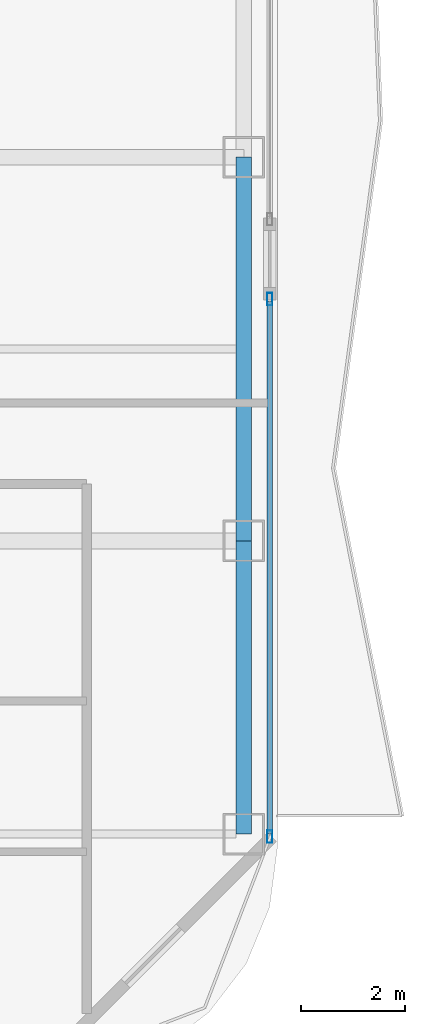
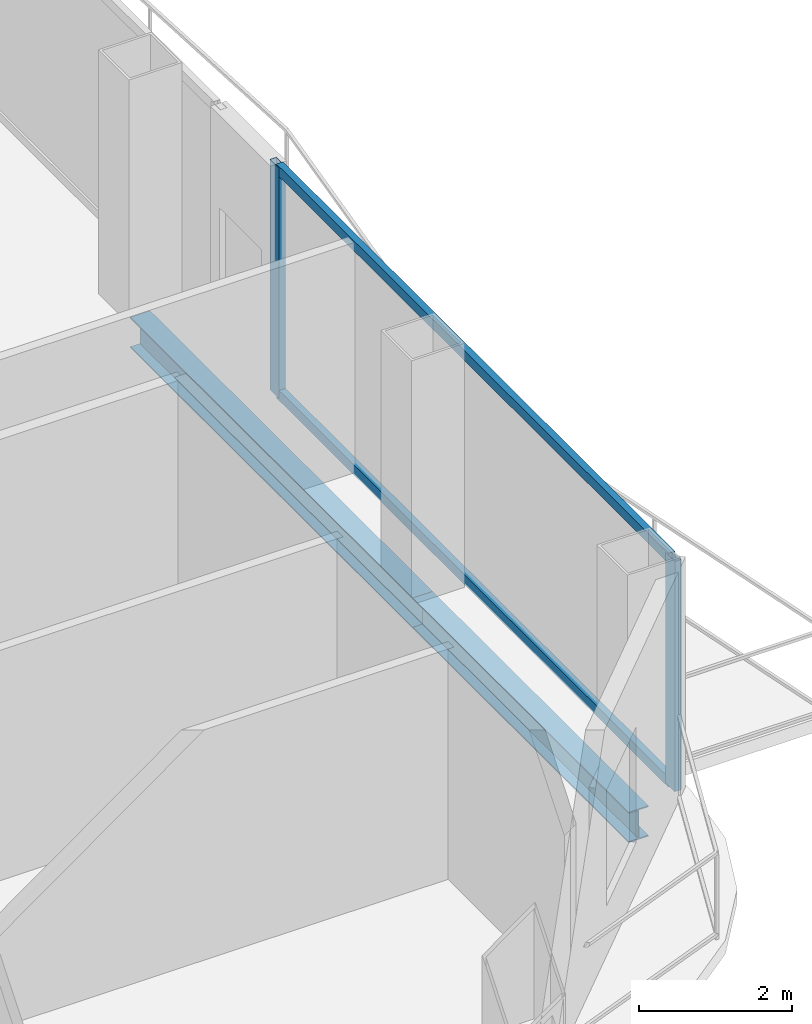
# One storey, part 10 of 27: 4 members, 2 beams, 1 element without a shape of its own.
"""IFC4 building model written with IfcOpenShell, lengths in metres."""

from ifc_helpers import new_model, si_unit, direction, frame, origin, origin_2d, place, context, subcontext, project, spatial, hollow_rectangle, i_section, extrude, material, layer, layer_set, material_profile, profile_set, type_object, element, aggregate, save


model = new_model("IFC4")

# Units and contexts
model_context = context("Model", 3, precision=1e-05, world=origin(), true_north=direction((0.0, 1.0)))
body_context = subcontext(model_context, "Body", "Model", "MODEL_VIEW")
ifc_project = project(units=[si_unit("LENGTHUNIT", "METRE"), si_unit("AREAUNIT", "SQUARE_METRE"), si_unit("VOLUMEUNIT", "CUBIC_METRE"), si_unit("PLANEANGLEUNIT", "RADIAN"), si_unit("MASSUNIT", "GRAM", prefix="KILO")], contexts=[model_context])

# Site, building, storey
site_placement = place(None, origin())
site = spatial("IfcSite", under=ifc_project, at=site_placement, CompositionType="ELEMENT")
building_placement = place(site_placement, origin())
building = spatial("IfcBuilding", under=site, at=building_placement, Name="Khorvyn Point Tower", CompositionType="ELEMENT")
storey_placement = place(building_placement, frame((0.0, 0.0, 46.199951171875)))
storey = spatial("IfcBuildingStorey", under=building, at=storey_placement, Name="L12", CompositionType="ELEMENT", Elevation=46.199951171875)

# Curtain wall, members
ifc_material_1 = material(Name="Anodised aluminium 6063-T6 and laminated Low-E glass", Category="aluminium")
ifc_layer = layer(ifc_material_1, 0.18994140625)
ifc_layer_set = layer_set([ifc_layer], Name="Stick-Built Finned Residential Curtain Wall CW-SYS-02")
curtain_wall_type = type_object("IfcCurtainWallType", Name="Stick-Built Finned Residential Curtain Wall CW-SYS-02", PredefinedType="NOTDEFINED", material=ifc_layer_set)
curtain_wall_placement = place(storey_placement, origin())
curtain_wall = element("IfcCurtainWall", 1, at=curtain_wall_placement, inside=storey, type_object=curtain_wall_type, Name="Curtain Wall", PredefinedType="NOTDEFINED")
ifc_material_2 = material(Name="Anodised aluminium 6063-T6", Category="aluminium")
ifc_material_profile_1 = material_profile(ifc_material_2, hollow_rectangle(XDim=0.10009765625, YDim=0.239990234375, WallThickness=0.0048828125, at=origin_2d()))
ifc_profile_set_1 = profile_set([ifc_material_profile_1], Name="Anodised aluminium 6063-T6 ALU-MUL-100x240")
member_type_1 = type_object("IfcMemberType", Name="Anodised Aluminium 6063-T6 Mullion ALU-MUL-100x240", PredefinedType="MULLION", material=ifc_profile_set_1)
member_1_placement = place(storey_placement, frame((27.949951171875, -10.136962890625, 0.0), z_axis=(0.0, 0.0, 1.0), x_axis=(1.0, 0.0, 0.0)))
member_1 = element("IfcMember", 2, at=member_1_placement, type_object=member_type_1, Name="Transom", PredefinedType="MULLION", context=body_context, shape_type="SweptSolid", body=[
    extrude(hollow_rectangle(XDim=0.10009765625, YDim=0.239990234375, WallThickness=0.0048828125, at=origin_2d()), origin(), (0.0, 0.0, 1.0), 3.679931640625),
])
member_2_placement = place(storey_placement, frame((27.949951171875, -20.5, 0.0), z_axis=(0.0, 0.0, 1.0), x_axis=(1.0, 0.0, 0.0)))
member_2 = element("IfcMember", 3, at=member_2_placement, type_object=member_type_1, Name="Transom", PredefinedType="MULLION", context=body_context, shape_type="SweptSolid", body=[
    extrude(hollow_rectangle(XDim=0.10009765625, YDim=0.239990234375, WallThickness=0.0048828125, at=origin_2d()), origin(), (0.0, 0.0, 1.0), 3.679931640625),
])
ifc_material_profile_2 = material_profile(ifc_material_2, hollow_rectangle(XDim=0.10009765625, YDim=0.159912109375, WallThickness=0.00439453125, at=origin_2d()))
ifc_profile_set_2 = profile_set([ifc_material_profile_2], Name="Anodised aluminium 6063-T6 ALU-TRN-100x160")
member_type_2 = type_object("IfcMemberType", Name="Anodised Aluminium 6063-T6 Transom ALU-TRN-100x160", PredefinedType="USERDEFINED", material=ifc_profile_set_2)
member_3_placement = place(storey_placement, frame((27.949951171875, -10.18701171875, 0.050048828125), z_axis=(0.0, -1.0, 0.0), x_axis=(1.0, 0.0, 0.0)))
member_3 = element("IfcMember", 4, at=member_3_placement, type_object=member_type_2, Name="Transom", ObjectType="TRANSOM", PredefinedType="USERDEFINED", context=body_context, shape_type="SweptSolid", body=[
    extrude(hollow_rectangle(XDim=0.10009765625, YDim=0.159912109375, WallThickness=0.00439453125, at=origin_2d()), origin(), (0.0, 0.0, 1.0), 10.262939453125),
])
member_4_placement = place(storey_placement, frame((27.949951171875, -10.18701171875, 3.630126953125), z_axis=(0.0, -1.0, 0.0), x_axis=(1.0, 0.0, 0.0)))
member_4 = element("IfcMember", 5, at=member_4_placement, type_object=member_type_2, Name="Transom", ObjectType="TRANSOM", PredefinedType="USERDEFINED", context=body_context, shape_type="SweptSolid", body=[
    extrude(hollow_rectangle(XDim=0.10009765625, YDim=0.159912109375, WallThickness=0.00439453125, at=origin_2d()), origin(), (0.0, 0.0, 1.0), 10.262939453125),
])
aggregate(curtain_wall, [member_1, member_2, member_3, member_4])

# Beams
ifc_material_3 = material(Name="Steel S355", Category="steel")
ifc_material_profile_3 = material_profile(ifc_material_3, i_section(OverallWidth=0.300048828125, OverallDepth=0.488037109375, WebThickness=0.010986328125, FlangeThickness=0.01806640625, at=origin_2d()))
ifc_profile_set_3 = profile_set([ifc_material_profile_3], Name="Steel S355 H488x300x11x18")
beam_type = type_object("IfcBeamType", Name="Steel S355 Spandrel H488x300x11x18", PredefinedType="SPANDREL", material=ifc_profile_set_3)
beam_1_placement = place(storey_placement, frame((27.449951171875, -20.449951171875, -0.4638671875), z_axis=(0.0, 1.0, 0.0), x_axis=(-1.0, 0.0, 0.0)))
element("IfcBeam", 6, at=beam_1_placement, inside=storey, type_object=beam_type, Name="Beam", PredefinedType="SPANDREL", context=body_context, shape_type="SweptSolid", body=[
    extrude(i_section(OverallWidth=0.300048828125, OverallDepth=0.488037109375, WebThickness=0.010986328125, FlangeThickness=0.01806640625, at=origin_2d()), origin(), (0.0, 0.0, 1.0), 5.64990234375),
])
beam_2_placement = place(storey_placement, frame((27.449951171875, -14.800048828125, -0.4638671875), z_axis=(0.0, 1.0, 0.0), x_axis=(-1.0, 0.0, 0.0)))
element("IfcBeam", 7, at=beam_2_placement, inside=storey, type_object=beam_type, Name="Beam", PredefinedType="SPANDREL", context=body_context, shape_type="SweptSolid", body=[
    extrude(i_section(OverallWidth=0.300048828125, OverallDepth=0.488037109375, WebThickness=0.010986328125, FlangeThickness=0.01806640625, at=origin_2d()), origin(), (0.0, 0.0, 1.0), 7.400146484375),
])

save(model, "model.ifc")
